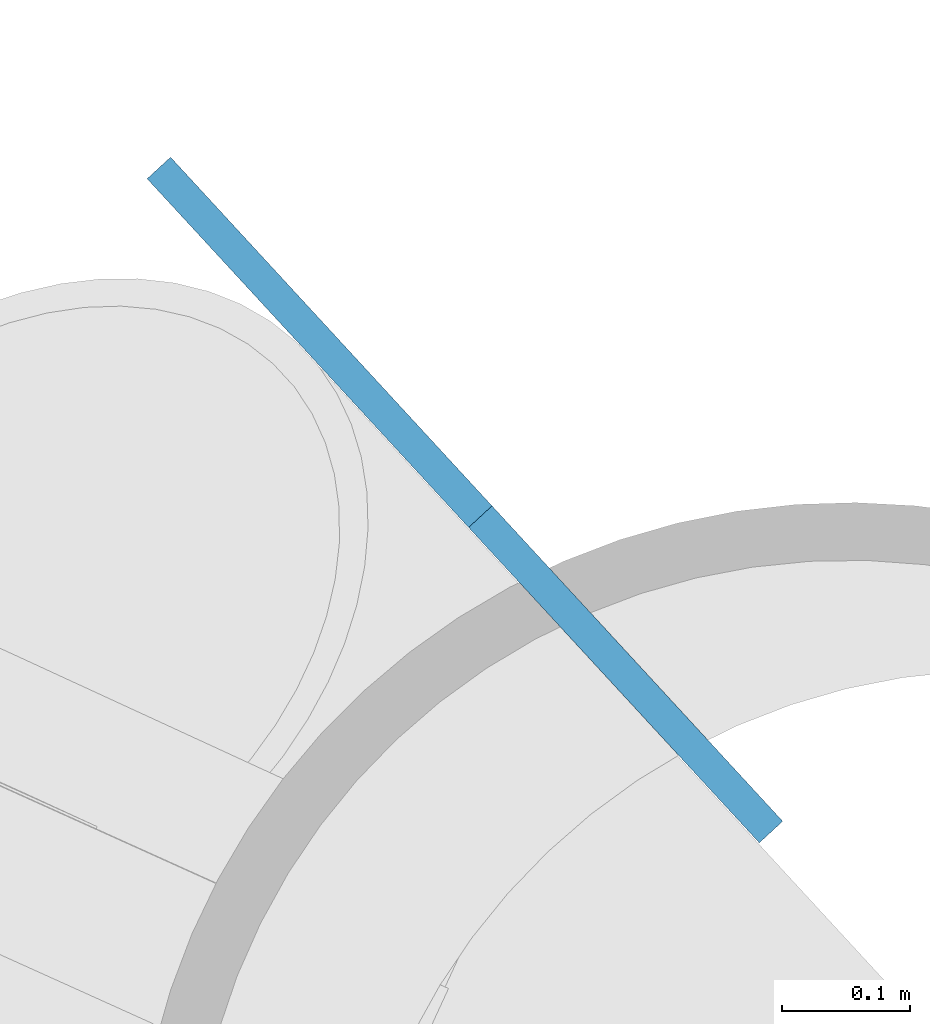
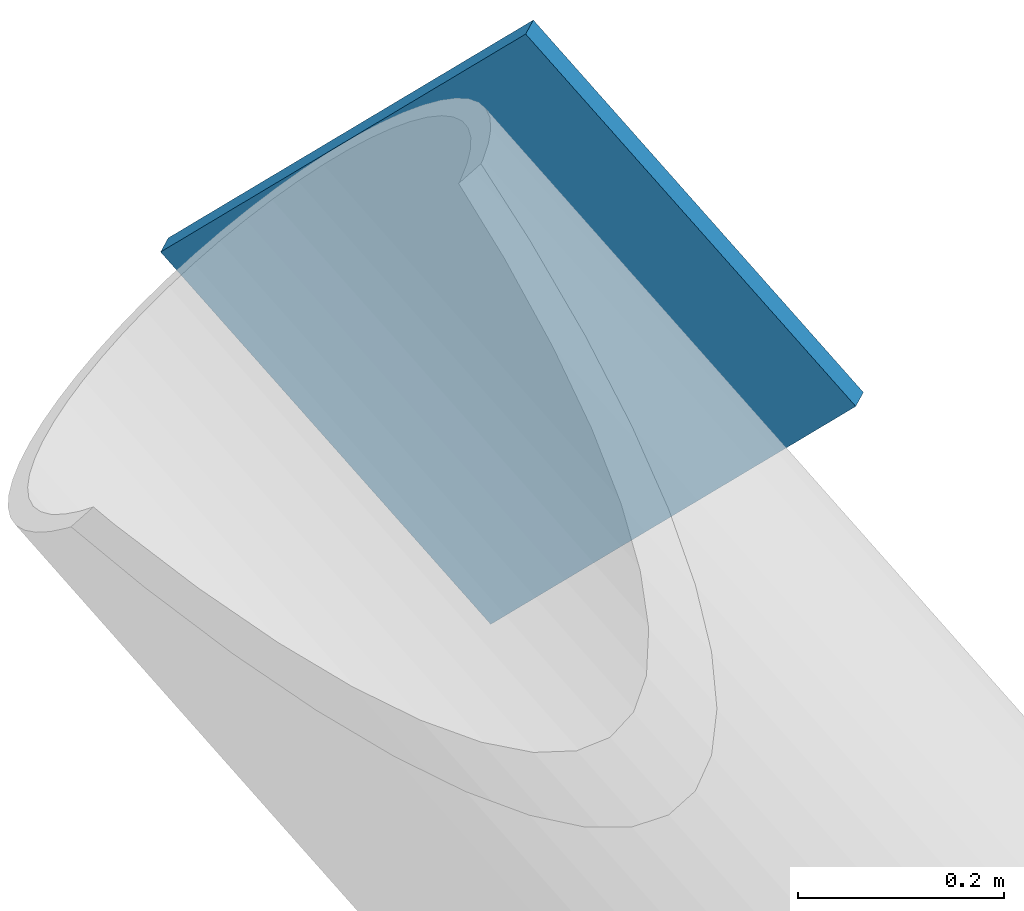
# One storey, part 11 of 22: 1 discrete accessory.
"""IFC4 building model written with IfcOpenShell, lengths in metres."""

import ifcopenshell
import ifcopenshell.guid

model = None  # the IFC model being written
_history = None  # IfcOwnerHistory: only IFC2X3 demands one
_inside = {}  # id of a spatial element -> (the spatial element, [elements in it])
_under = {}  # id of a project, library or spatial element -> (it, [spatial elements below it])
_declared = {}  # id of a project -> (the project, [libraries it declares])
_typed = {}  # id of a type object -> (the type object, [elements of that type])
_made_of = {}  # id of a material, layer set ... -> (it, [elements and type objects made of it])


def new_model(schema):
    """Start an empty IFC model of exactly this schema.

    Asked for "IFC4X3", IfcOpenShell would pick the latest addendum, in which some entities
    have other attributes; the version numbers below select the first issue.
    IFC2X3 requires an IfcOwnerHistory on every rooted entity: one is made here for all.
    """
    global model, _history
    if schema == "IFC4X3":
        model = ifcopenshell.file(schema_version=(4, 3, 0, 0))
    else:
        model = ifcopenshell.file(schema=schema)
    _inside.clear()
    _under.clear()
    _declared.clear()
    _typed.clear()
    _made_of.clear()
    _history = None
    if model.schema == "IFC2X3":
        org = make("IfcOrganization", Name="unknown")
        user = make(
            "IfcPersonAndOrganization",
            ThePerson=make("IfcPerson", FamilyName="unknown"),
            TheOrganization=org,
        )
        app = make(
            "IfcApplication",
            ApplicationDeveloper=org,
            Version="unknown",
            ApplicationFullName="unknown",
            ApplicationIdentifier="unknown",
        )
        _history = make(
            "IfcOwnerHistory",
            OwningUser=user,
            OwningApplication=app,
            ChangeAction="ADDED",
            CreationDate=0,
        )
    return model


def make(cls, **values):
    """One entity of the class cls with the attributes given. An attribute that is None is left unset."""
    return model.create_entity(
        cls, **{name: value for name, value in values.items() if value is not None}
    )


def rooted(cls, **values):
    """An entity with a GlobalId (a new one), such as an element, a storey or a relation."""
    return make(cls, GlobalId=ifcopenshell.guid.new(), OwnerHistory=_history, **values)


def si_unit(unit_type, name, prefix=None):
    """IfcSIUnit, for example si_unit("LENGTHUNIT", "METRE", prefix="MILLI")."""
    return make("IfcSIUnit", UnitType=unit_type, Prefix=prefix, Name=name)


def assignment(units):
    """IfcUnitAssignment: the units of a project."""
    return None if units is None else make("IfcUnitAssignment", Units=units)


def point(xyz):
    """IfcCartesianPoint."""
    return None if xyz is None else make("IfcCartesianPoint", Coordinates=xyz)


def direction(xyz):
    """IfcDirection."""
    return None if xyz is None else make("IfcDirection", DirectionRatios=xyz)


def frame(location, z_axis=None, x_axis=None):
    """IfcAxis2Placement3D, a coordinate frame: its origin and axes. An axis left out is left unset."""
    return make(
        "IfcAxis2Placement3D",
        Location=point(location),
        Axis=direction(z_axis),
        RefDirection=direction(x_axis),
    )


def frame_2d(location, x_axis=None):
    """IfcAxis2Placement2D, a coordinate frame in the plane: its origin and x axis."""
    return make(
        "IfcAxis2Placement2D", Location=point(location), RefDirection=direction(x_axis)
    )


def origin():
    """The frame at (0, 0, 0) with its axes left unset."""
    return frame((0.0, 0.0, 0.0))


def origin_2d():
    """The frame at (0, 0) in the plane with its x axis left unset."""
    return frame_2d((0.0, 0.0))


def place(relative_to, where):
    """IfcLocalPlacement: puts the frame where relative to a parent placement (None: the world)."""
    return make(
        "IfcLocalPlacement", PlacementRelTo=relative_to, RelativePlacement=where
    )


def context(
    kind, dimensions, precision=None, world=None, true_north=None, identifier=None
):
    """IfcGeometricRepresentationContext, for example the 3D "Model" context."""
    return make(
        "IfcGeometricRepresentationContext",
        ContextIdentifier=identifier,
        ContextType=kind,
        CoordinateSpaceDimension=dimensions,
        Precision=precision,
        WorldCoordinateSystem=world,
        TrueNorth=true_north,
    )


def subcontext(parent, identifier, kind, view, scale=None):
    """IfcGeometricRepresentationSubContext, for example "Body" below "Model"."""
    return make(
        "IfcGeometricRepresentationSubContext",
        ContextIdentifier=identifier,
        ContextType=kind,
        ParentContext=parent,
        TargetScale=scale,
        TargetView=view,
    )


def project(units=None, contexts=None):
    """IfcProject with its units and contexts."""
    return rooted(
        "IfcProject",
        Name="project",
        RepresentationContexts=contexts,
        UnitsInContext=assignment(units),
    )


def spatial(cls, under=None, at=None, **own):
    """A site, building, storey or space (cls), placed at a placement, below another one or the project."""
    s = rooted(cls, ObjectPlacement=at, **own)
    if under is not None:
        _under.setdefault(under.id(), (under, []))[1].append(s)
    return s


def profile(cls, at=None, kind="AREA", **sizes):
    """A parametric profile (cls). Its sizes go by their IFC names, for example OverallWidth=200.0."""
    return make(cls, ProfileType=kind, Position=at, **sizes)


def rectangle(**sizes):
    """IfcRectangleProfileDef."""
    return profile("IfcRectangleProfileDef", **sizes)


def extrude(swept, where, along, depth):
    """IfcExtrudedAreaSolid: the profile swept, set in the frame where, extruded along a direction by depth."""
    return make(
        "IfcExtrudedAreaSolid",
        SweptArea=swept,
        Position=where,
        ExtrudedDirection=direction(along),
        Depth=depth,
    )


def shape(context_of_items, identifier, shape_type, items):
    """IfcShapeRepresentation: the items that make up one representation, for example the "Body"."""
    return make(
        "IfcShapeRepresentation",
        ContextOfItems=context_of_items,
        RepresentationIdentifier=identifier,
        RepresentationType=shape_type,
        Items=items,
    )


def material(Name=None, Category=None):
    """IfcMaterial."""
    return make("IfcMaterial", Name=Name, Category=Category)


def material_profile(
    of_material, cross_section, Name=None, Category=None, Priority=None
):
    """IfcMaterialProfile: a cross section and its material."""
    return make(
        "IfcMaterialProfile",
        Name=Name,
        Material=of_material,
        Profile=cross_section,
        Priority=Priority,
        Category=Category,
    )


def profile_set(profiles, Name=None, composite=None):
    """IfcMaterialProfileSet."""
    return make(
        "IfcMaterialProfileSet",
        Name=Name,
        MaterialProfiles=profiles,
        CompositeProfile=composite,
    )


def made_of(thing, what):
    """Note that an element or type object is made of a material, layer set ...; save() writes the relation."""
    if what is not None:
        _made_of.setdefault(what.id(), (what, []))[1].append(thing)
    return thing


def type_object(cls, material=None, **own):
    """A type object (cls), such as IfcWallType, which elements share."""
    return made_of(rooted(cls, **own), material)


def element(
    cls,
    number,
    at=None,
    inside=None,
    cuts=None,
    type_object=None,
    material=None,
    context=None,
    identifier="Body",
    shape_type=None,
    held_by="IfcProductDefinitionShape",
    body=None,
    shapes=None,
    **own,
):
    """One element of the class cls, such as IfcWall. Its Tag is "e" and its number.

    at: its placement. inside: the storey or other place that contains it. cuts: it is an
    opening in that element (IfcRelVoidsElement). A single representation is given by context,
    identifier, shape_type and body (its items); several are given by shapes. held_by: the class
    of the entity that holds the representations. save() writes the other relations.
    """
    e = rooted(cls, Tag="e%d" % number, ObjectPlacement=at, **own)
    if body is not None:
        shapes = [shape(context, identifier, shape_type, body)]
    if shapes is not None:
        e.Representation = make(held_by, Representations=shapes)
    if inside is not None:
        _inside.setdefault(inside.id(), (inside, []))[1].append(e)
    if cuts is not None:
        rooted(
            "IfcRelVoidsElement", RelatingBuildingElement=cuts, RelatedOpeningElement=e
        )
    if type_object is not None:
        _typed.setdefault(type_object.id(), (type_object, []))[1].append(e)
    return made_of(e, material)


def aggregate(whole, parts):
    """IfcRelAggregates: a whole, such as a stair, and the parts it consists of."""
    return rooted("IfcRelAggregates", RelatingObject=whole, RelatedObjects=parts)


def save(model, path):
    """Write the relations noted so far, then the file.

    IfcRelAggregates (storeys below a building ...), IfcRelContainedInSpatialStructure (elements
    in a storey), IfcRelDefinesByType, IfcRelAssociatesMaterial and IfcRelDeclares: one each for
    every whole, place, type object, material and project.
    """
    for whole, parts in _under.values():
        aggregate(whole, parts)
    for where, things in _inside.values():
        rooted(
            "IfcRelContainedInSpatialStructure",
            RelatedElements=things,
            RelatingStructure=where,
        )
    for kind, things in _typed.values():
        rooted("IfcRelDefinesByType", RelatedObjects=things, RelatingType=kind)
    for what, things in _made_of.values():
        rooted("IfcRelAssociatesMaterial", RelatedObjects=things, RelatingMaterial=what)
    for by, libraries in _declared.values():
        rooted("IfcRelDeclares", RelatingContext=by, RelatedDefinitions=libraries)
    model.write(path)


model = new_model("IFC4")

# Units and contexts
model_context = context("Model", 3, precision=1e-05, world=origin(), true_north=direction((0.0, 1.0)))
body_context = subcontext(model_context, "Body", "Model", "MODEL_VIEW")
ifc_project = project(units=[si_unit("LENGTHUNIT", "METRE"), si_unit("AREAUNIT", "SQUARE_METRE"), si_unit("VOLUMEUNIT", "CUBIC_METRE"), si_unit("PLANEANGLEUNIT", "RADIAN"), si_unit("MASSUNIT", "GRAM", prefix="KILO")], contexts=[model_context])

# Site, building, storey
site_placement = place(None, origin())
site = spatial("IfcSite", under=ifc_project, at=site_placement, CompositionType="ELEMENT")
building_placement = place(site_placement, origin())
building = spatial("IfcBuilding", under=site, at=building_placement, Name="Tarsis Ring Headquarters", CompositionType="ELEMENT")
storey_placement = place(building_placement, frame((0.0, 0.0, 186.60009765625)))
storey = spatial("IfcBuildingStorey", under=building, at=storey_placement, Name="L43", CompositionType="ELEMENT", Elevation=186.60009765625)

# Discrete accessory
ifc_material = material(Name="Structural steel S355", Category="steel")
ifc_material_profile = material_profile(ifc_material, rectangle(XDim=0.02490234375, YDim=0.5, at=origin_2d()), Name="PL 25x500")
ifc_profile_set = profile_set([ifc_material_profile], Name="Structural steel S355")
discrete_accessory_type = type_object("IfcDiscreteAccessoryType", Name="Gusset plate Exo brace 25", PredefinedType="BRACKET", material=ifc_profile_set)
discrete_accessory_placement = place(storey_placement, frame((16.918701171875, 23.993408203125, 7.7998046875), z_axis=(0.454594287504, -0.493168883329, -0.741706469086), x_axis=(0.735277742618, 0.677765919186, 0.0)))
element("IfcDiscreteAccessory", 1, at=discrete_accessory_placement, inside=storey, type_object=discrete_accessory_type, Name="Gusset plate GP5", PredefinedType="BRACKET", context=body_context, shape_type="SweptSolid", body=[
    extrude(rectangle(XDim=0.02490234375, YDim=0.5, at=origin_2d()), origin(), (0.0, 0.0, 1.0), 0.5),
])

save(model, "model.ifc")
